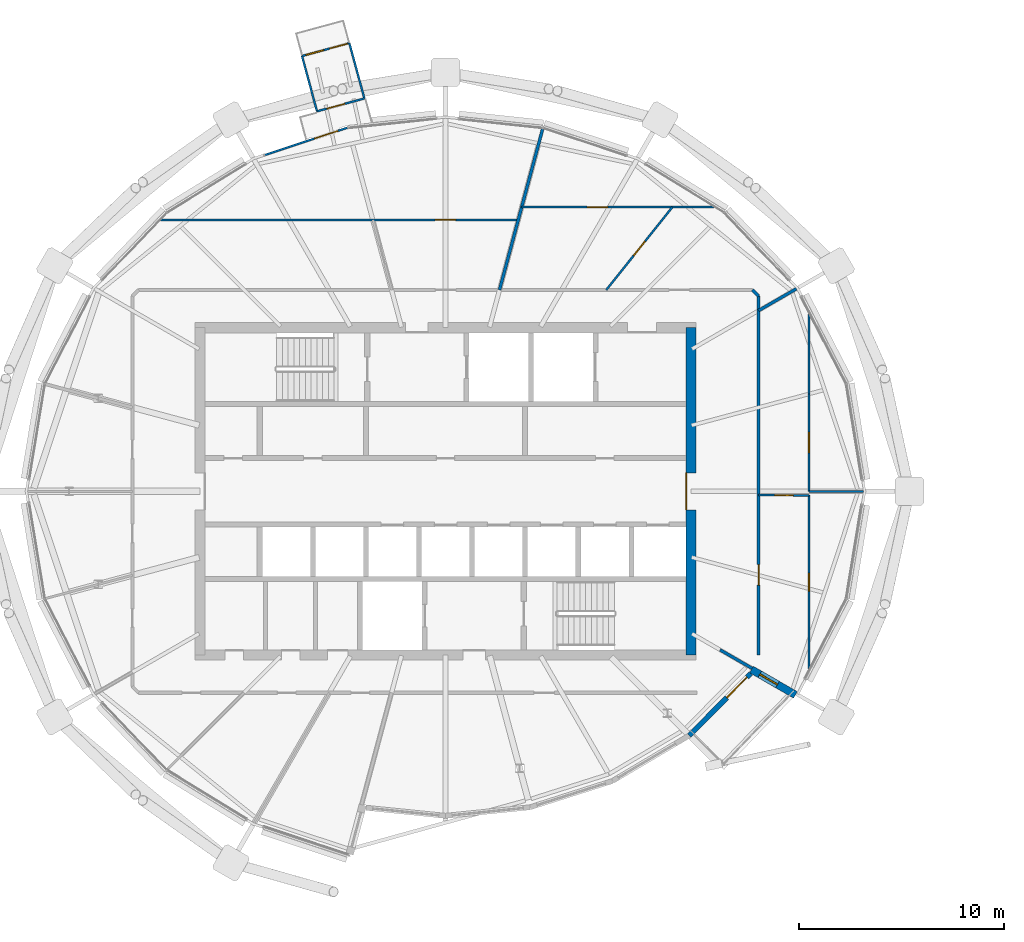
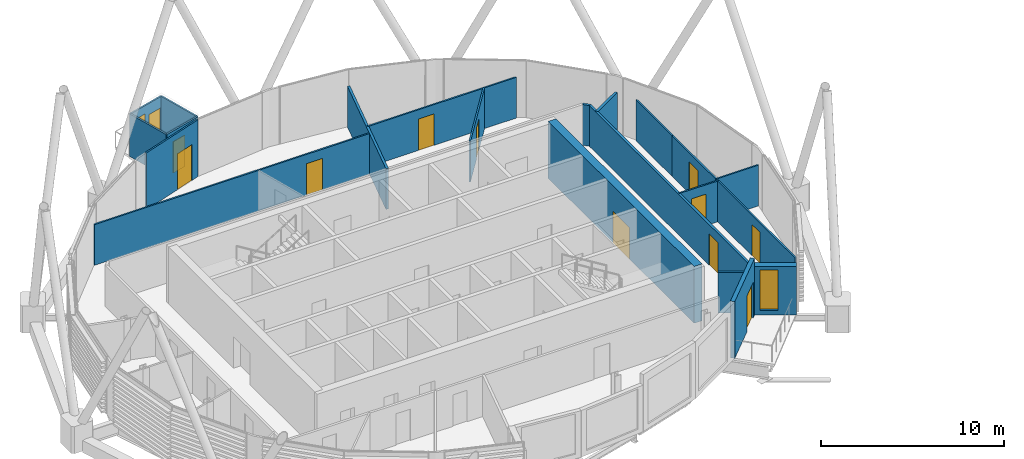
# One storey, part 21 of 32: 21 walls, 12 doors, 2 windows, 14 openings.
"""IFC4 building model written with IfcOpenShell, lengths in metres."""

import ifcopenshell
import ifcopenshell.guid

model = None  # the IFC model being written
_history = None  # IfcOwnerHistory: only IFC2X3 demands one
_inside = {}  # id of a spatial element -> (the spatial element, [elements in it])
_under = {}  # id of a project, library or spatial element -> (it, [spatial elements below it])
_declared = {}  # id of a project -> (the project, [libraries it declares])
_typed = {}  # id of a type object -> (the type object, [elements of that type])
_made_of = {}  # id of a material, layer set ... -> (it, [elements and type objects made of it])


def new_model(schema):
    """Start an empty IFC model of exactly this schema.

    Asked for "IFC4X3", IfcOpenShell would pick the latest addendum, in which some entities
    have other attributes; the version numbers below select the first issue.
    IFC2X3 requires an IfcOwnerHistory on every rooted entity: one is made here for all.
    """
    global model, _history
    if schema == "IFC4X3":
        model = ifcopenshell.file(schema_version=(4, 3, 0, 0))
    else:
        model = ifcopenshell.file(schema=schema)
    _inside.clear()
    _under.clear()
    _declared.clear()
    _typed.clear()
    _made_of.clear()
    _history = None
    if model.schema == "IFC2X3":
        org = make("IfcOrganization", Name="unknown")
        user = make(
            "IfcPersonAndOrganization",
            ThePerson=make("IfcPerson", FamilyName="unknown"),
            TheOrganization=org,
        )
        app = make(
            "IfcApplication",
            ApplicationDeveloper=org,
            Version="unknown",
            ApplicationFullName="unknown",
            ApplicationIdentifier="unknown",
        )
        _history = make(
            "IfcOwnerHistory",
            OwningUser=user,
            OwningApplication=app,
            ChangeAction="ADDED",
            CreationDate=0,
        )
    return model


def make(cls, **values):
    """One entity of the class cls with the attributes given. An attribute that is None is left unset."""
    return model.create_entity(
        cls, **{name: value for name, value in values.items() if value is not None}
    )


def rooted(cls, **values):
    """An entity with a GlobalId (a new one), such as an element, a storey or a relation."""
    return make(cls, GlobalId=ifcopenshell.guid.new(), OwnerHistory=_history, **values)


def si_unit(unit_type, name, prefix=None):
    """IfcSIUnit, for example si_unit("LENGTHUNIT", "METRE", prefix="MILLI")."""
    return make("IfcSIUnit", UnitType=unit_type, Prefix=prefix, Name=name)


def assignment(units):
    """IfcUnitAssignment: the units of a project."""
    return None if units is None else make("IfcUnitAssignment", Units=units)


def point(xyz):
    """IfcCartesianPoint."""
    return None if xyz is None else make("IfcCartesianPoint", Coordinates=xyz)


def direction(xyz):
    """IfcDirection."""
    return None if xyz is None else make("IfcDirection", DirectionRatios=xyz)


def frame(location, z_axis=None, x_axis=None):
    """IfcAxis2Placement3D, a coordinate frame: its origin and axes. An axis left out is left unset."""
    return make(
        "IfcAxis2Placement3D",
        Location=point(location),
        Axis=direction(z_axis),
        RefDirection=direction(x_axis),
    )


def frame_2d(location, x_axis=None):
    """IfcAxis2Placement2D, a coordinate frame in the plane: its origin and x axis."""
    return make(
        "IfcAxis2Placement2D", Location=point(location), RefDirection=direction(x_axis)
    )


def origin():
    """The frame at (0, 0, 0) with its axes left unset."""
    return frame((0.0, 0.0, 0.0))


def place(relative_to, where):
    """IfcLocalPlacement: puts the frame where relative to a parent placement (None: the world)."""
    return make(
        "IfcLocalPlacement", PlacementRelTo=relative_to, RelativePlacement=where
    )


def context(
    kind, dimensions, precision=None, world=None, true_north=None, identifier=None
):
    """IfcGeometricRepresentationContext, for example the 3D "Model" context."""
    return make(
        "IfcGeometricRepresentationContext",
        ContextIdentifier=identifier,
        ContextType=kind,
        CoordinateSpaceDimension=dimensions,
        Precision=precision,
        WorldCoordinateSystem=world,
        TrueNorth=true_north,
    )


def subcontext(parent, identifier, kind, view, scale=None):
    """IfcGeometricRepresentationSubContext, for example "Body" below "Model"."""
    return make(
        "IfcGeometricRepresentationSubContext",
        ContextIdentifier=identifier,
        ContextType=kind,
        ParentContext=parent,
        TargetScale=scale,
        TargetView=view,
    )


def project(units=None, contexts=None):
    """IfcProject with its units and contexts."""
    return rooted(
        "IfcProject",
        Name="project",
        RepresentationContexts=contexts,
        UnitsInContext=assignment(units),
    )


def spatial(cls, under=None, at=None, **own):
    """A site, building, storey or space (cls), placed at a placement, below another one or the project."""
    s = rooted(cls, ObjectPlacement=at, **own)
    if under is not None:
        _under.setdefault(under.id(), (under, []))[1].append(s)
    return s


def profile(cls, at=None, kind="AREA", **sizes):
    """A parametric profile (cls). Its sizes go by their IFC names, for example OverallWidth=200.0."""
    return make(cls, ProfileType=kind, Position=at, **sizes)


def rectangle(**sizes):
    """IfcRectangleProfileDef."""
    return profile("IfcRectangleProfileDef", **sizes)


def extrude(swept, where, along, depth):
    """IfcExtrudedAreaSolid: the profile swept, set in the frame where, extruded along a direction by depth."""
    return make(
        "IfcExtrudedAreaSolid",
        SweptArea=swept,
        Position=where,
        ExtrudedDirection=direction(along),
        Depth=depth,
    )


def shape(context_of_items, identifier, shape_type, items):
    """IfcShapeRepresentation: the items that make up one representation, for example the "Body"."""
    return make(
        "IfcShapeRepresentation",
        ContextOfItems=context_of_items,
        RepresentationIdentifier=identifier,
        RepresentationType=shape_type,
        Items=items,
    )


def material(Name=None, Category=None):
    """IfcMaterial."""
    return make("IfcMaterial", Name=Name, Category=Category)


def layer(
    of_material, thickness, ventilated=None, Name=None, Category=None, Priority=None
):
    """IfcMaterialLayer: one layer of a wall or slab, of a material (None: an air gap)."""
    return make(
        "IfcMaterialLayer",
        Material=of_material,
        LayerThickness=thickness,
        IsVentilated=ventilated,
        Name=Name,
        Category=Category,
        Priority=Priority,
    )


def layer_set(layers, Name=None):
    """IfcMaterialLayerSet."""
    return make("IfcMaterialLayerSet", MaterialLayers=layers, LayerSetName=Name)


def made_of(thing, what):
    """Note that an element or type object is made of a material, layer set ...; save() writes the relation."""
    if what is not None:
        _made_of.setdefault(what.id(), (what, []))[1].append(thing)
    return thing


def type_object(cls, material=None, **own):
    """A type object (cls), such as IfcWallType, which elements share."""
    return made_of(rooted(cls, **own), material)


def element(
    cls,
    number,
    at=None,
    inside=None,
    cuts=None,
    type_object=None,
    material=None,
    context=None,
    identifier="Body",
    shape_type=None,
    held_by="IfcProductDefinitionShape",
    body=None,
    shapes=None,
    **own,
):
    """One element of the class cls, such as IfcWall. Its Tag is "e" and its number.

    at: its placement. inside: the storey or other place that contains it. cuts: it is an
    opening in that element (IfcRelVoidsElement). A single representation is given by context,
    identifier, shape_type and body (its items); several are given by shapes. held_by: the class
    of the entity that holds the representations. save() writes the other relations.
    """
    e = rooted(cls, Tag="e%d" % number, ObjectPlacement=at, **own)
    if body is not None:
        shapes = [shape(context, identifier, shape_type, body)]
    if shapes is not None:
        e.Representation = make(held_by, Representations=shapes)
    if inside is not None:
        _inside.setdefault(inside.id(), (inside, []))[1].append(e)
    if cuts is not None:
        rooted(
            "IfcRelVoidsElement", RelatingBuildingElement=cuts, RelatedOpeningElement=e
        )
    if type_object is not None:
        _typed.setdefault(type_object.id(), (type_object, []))[1].append(e)
    return made_of(e, material)


def fill(opening, filler):
    """IfcRelFillsElement: the door or window that sits in an opening."""
    return rooted(
        "IfcRelFillsElement",
        RelatingOpeningElement=opening,
        RelatedBuildingElement=filler,
    )


def aggregate(whole, parts):
    """IfcRelAggregates: a whole, such as a stair, and the parts it consists of."""
    return rooted("IfcRelAggregates", RelatingObject=whole, RelatedObjects=parts)


def save(model, path):
    """Write the relations noted so far, then the file.

    IfcRelAggregates (storeys below a building ...), IfcRelContainedInSpatialStructure (elements
    in a storey), IfcRelDefinesByType, IfcRelAssociatesMaterial and IfcRelDeclares: one each for
    every whole, place, type object, material and project.
    """
    for whole, parts in _under.values():
        aggregate(whole, parts)
    for where, things in _inside.values():
        rooted(
            "IfcRelContainedInSpatialStructure",
            RelatedElements=things,
            RelatingStructure=where,
        )
    for kind, things in _typed.values():
        rooted("IfcRelDefinesByType", RelatedObjects=things, RelatingType=kind)
    for what, things in _made_of.values():
        rooted("IfcRelAssociatesMaterial", RelatedObjects=things, RelatingMaterial=what)
    for by, libraries in _declared.values():
        rooted("IfcRelDeclares", RelatingContext=by, RelatedDefinitions=libraries)
    model.write(path)


model = new_model("IFC4")

# Units and contexts
model_context = context("Model", 3, precision=1e-05, world=origin(), true_north=direction((0.0, 1.0)))
body_context = subcontext(model_context, "Body", "Model", "MODEL_VIEW")
ifc_project = project(units=[si_unit("LENGTHUNIT", "METRE"), si_unit("AREAUNIT", "SQUARE_METRE"), si_unit("VOLUMEUNIT", "CUBIC_METRE"), si_unit("PLANEANGLEUNIT", "RADIAN"), si_unit("MASSUNIT", "GRAM", prefix="KILO")], contexts=[model_context])

# Site, building, storey
site_placement = place(None, origin())
site = spatial("IfcSite", under=ifc_project, at=site_placement, CompositionType="ELEMENT")
building_placement = place(site_placement, origin())
building = spatial("IfcBuilding", under=site, at=building_placement, Name="Rimbun Link Towers", CompositionType="ELEMENT")
storey_placement = place(building_placement, frame((0.0, 0.0, 233.300048828125)))
storey = spatial("IfcBuildingStorey", under=building, at=storey_placement, Name="L57", CompositionType="ELEMENT", Elevation=233.300048828125)

# Wall, openings, door, window
ifc_material_1 = material(Name="Terracotta-faced insulated sandwich panel", Category="masonry")
ifc_layer_1 = layer(ifc_material_1, 0.10009765625)
ifc_layer_set_1 = layer_set([ifc_layer_1], Name="CAPSULE entrance panel 100")
wall_type_1 = type_object("IfcWallType", Name="CAPSULE entrance panel 100", PredefinedType="STANDARD", material=ifc_layer_set_1)
wall_1_placement = place(storey_placement, frame((-36.448974609375, 21.90478515625, 0.0), z_axis=(0.0, 0.0, 1.0), x_axis=(-0.965115063511, -0.261826114405, 0.0)))
wall_1 = element("IfcWall", 1, at=wall_1_placement, inside=storey, type_object=wall_type_1, Name="CAPSULE D571.01 shell panel 2", PredefinedType="STANDARD", context=body_context, shape_type="SweptSolid", body=[
    extrude(rectangle(XDim=2.400146484375, YDim=0.10009765625, at=frame_2d((1.2001953125, 0.0))), origin(), (0.0, 0.0, 1.0), 2.849853515625),
])
opening_1_placement = place(wall_1_placement, frame((0.10009765625, 0.0, 0.0)))
opening_1 = element("IfcOpeningElement", 2, at=opening_1_placement, cuts=wall_1, Name="Opening CD57.01", PredefinedType="OPENING", context=body_context, shape_type="SweptSolid", body=[
    extrude(rectangle(XDim=0.89990234375, YDim=2.10009765625, at=frame_2d((0.449951171875, 1.050048828125))), frame((0.0, 0.06005859375, 0.0), z_axis=(0.0, -1.0, 0.0), x_axis=(1.0, 0.0, 0.0)), (0.0, 0.0, 1.0), 0.1201171875),
])
opening_2_placement = place(wall_1_placement, frame((1.300048828125, 0.0, 0.89990234375)))
opening_2 = element("IfcOpeningElement", 3, at=opening_2_placement, cuts=wall_1, Name="Opening CN57.01", PredefinedType="OPENING", context=body_context, shape_type="SweptSolid", body=[
    extrude(rectangle(XDim=0.89990234375, YDim=1.39990234375, at=frame_2d((0.449951171875, 0.699951171875))), frame((0.0, 0.06005859375, 0.0), z_axis=(0.0, -1.0, 0.0), x_axis=(1.0, 0.0, 0.0)), (0.0, 0.0, 1.0), 0.1201171875),
])
ifc_material_2 = material(Name="Aluminium framed insulated door leaf", Category="aluminium")
door_type_1 = type_object("IfcDoorType", Name="CAPSULE door single leaf 900X2100", OperationType="SINGLE_SWING_LEFT", PredefinedType="DOOR", material=ifc_material_2)
door_1_placement = place(opening_1_placement, origin())
door_1 = element("IfcDoor", 4, at=door_1_placement, inside=storey, type_object=door_type_1, Name="CAPSULE D571.01 door", OperationType="SINGLE_SWING_LEFT", OverallHeight=2.10009765625, OverallWidth=0.89990234375, PredefinedType="DOOR", context=body_context, shape_type="SweptSolid", body=[
    extrude(rectangle(XDim=0.89990234375, YDim=2.10009765625, at=frame_2d((0.449951171875, 1.050048828125))), frame((0.0, 0.02490234375, 0.0), z_axis=(0.0, -1.0, 0.0), x_axis=(1.0, 0.0, 0.0)), (0.0, 0.0, 1.0), 0.050048828125),
])
fill(opening_1, door_1)
ifc_material_3 = material(Name="Aluminium framed window, low-iron glass", Category="aluminium")
window_type_1 = type_object("IfcWindowType", Name="CAPSULE window 900X1400", PartitioningType="SINGLE_PANEL", PredefinedType="WINDOW", material=ifc_material_3)
window_1_placement = place(opening_2_placement, origin())
window_1 = element("IfcWindow", 5, at=window_1_placement, inside=storey, type_object=window_type_1, Name="CAPSULE D571.01 window", OverallHeight=1.39990234375, OverallWidth=0.89990234375, PartitioningType="SINGLE_PANEL", PredefinedType="WINDOW", context=body_context, shape_type="SweptSolid", body=[
    extrude(rectangle(XDim=0.89990234375, YDim=1.39990234375, at=frame_2d((0.449951171875, 0.699951171875))), frame((0.0, 0.030029296875, 0.0), z_axis=(0.0, -1.0, 0.0), x_axis=(1.0, 0.0, 0.0)), (0.0, 0.0, 1.0), 0.06005859375),
])
fill(opening_2, window_1)

# Wall, opening, door
wall_2_placement = place(storey_placement, frame((-38.0322265625, 18.57421875, 0.0), z_axis=(0.0, 0.0, 1.0), x_axis=(0.965140763293, 0.261731364245, 0.0)))
wall_2 = element("IfcWall", 6, at=wall_2_placement, inside=storey, type_object=wall_type_1, Name="CAPSULE D571.01 shell panel 4", PredefinedType="STANDARD", context=body_context, shape_type="SweptSolid", body=[
    extrude(rectangle(XDim=2.400146484375, YDim=0.10009765625, at=frame_2d((1.2001953125, 0.0))), origin(), (0.0, 0.0, 1.0), 2.849853515625),
])
opening_3_placement = place(wall_2_placement, frame((0.5, 0.0, 0.0)))
opening_3 = element("IfcOpeningElement", 7, at=opening_3_placement, cuts=wall_2, Name="Opening CE57.01", PredefinedType="OPENING", context=body_context, shape_type="SweptSolid", body=[
    extrude(rectangle(XDim=0.89990234375, YDim=2.10009765625, at=frame_2d((0.449951171875, 1.050048828125))), frame((0.0, 0.06005859375, 0.0), z_axis=(0.0, -1.0, 0.0), x_axis=(1.0, 0.0, 0.0)), (0.0, 0.0, 1.0), 0.1201171875),
])
door_2_placement = place(opening_3_placement, origin())
door_2 = element("IfcDoor", 8, at=door_2_placement, inside=storey, type_object=door_type_1, Name="CAPSULE D571.01 inner door", OperationType="SINGLE_SWING_LEFT", OverallHeight=2.10009765625, OverallWidth=0.89990234375, PredefinedType="DOOR", context=body_context, shape_type="SweptSolid", body=[
    extrude(rectangle(XDim=0.89990234375, YDim=2.10009765625, at=frame_2d((0.449951171875, 1.050048828125))), frame((0.0, 0.02490234375, 0.0), z_axis=(0.0, -1.0, 0.0), x_axis=(1.0, 0.0, 0.0)), (0.0, 0.0, 1.0), 0.050048828125),
])
fill(opening_3, door_2)

# Walls
ifc_material_4 = material(Name="Terracotta-faced insulated sandwich panel", Category="masonry")
ifc_layer_2 = layer(ifc_material_4, 0.10009765625)
ifc_layer_set_2 = layer_set([ifc_layer_2], Name="CAPSULE shell panel 100")
wall_type_2 = type_object("IfcWallType", Name="CAPSULE shell panel 100", PredefinedType="STANDARD", material=ifc_layer_set_2)
wall_3_placement = place(storey_placement, frame((-35.7158203125, 19.202392578125, 0.0), z_axis=(0.0, 0.0, 1.0), x_axis=(-0.261833458532, 0.965113071092, 0.0)))
element("IfcWall", 9, at=wall_3_placement, inside=storey, type_object=wall_type_2, Name="CAPSULE D571.01 shell panel 1", PredefinedType="STANDARD", context=body_context, shape_type="SweptSolid", body=[
    extrude(rectangle(XDim=2.800048828125, YDim=0.10009765625, at=frame_2d((1.39990234375, 0.0))), origin(), (0.0, 0.0, 1.0), 2.849853515625),
])
wall_4_placement = place(storey_placement, frame((-38.765380859375, 21.2763671875, 0.0), z_axis=(0.0, 0.0, 1.0), x_axis=(0.261855493293, -0.965107092831, 0.0)))
element("IfcWall", 10, at=wall_4_placement, inside=storey, type_object=wall_type_2, Name="CAPSULE D571.01 shell panel 3", PredefinedType="STANDARD", context=body_context, shape_type="SweptSolid", body=[
    extrude(rectangle(XDim=2.7998046875, YDim=0.10009765625, at=frame_2d((1.39990234375, 0.0))), origin(), (0.0, 0.0, 1.0), 2.849853515625),
])

# Wall, opening, door
ifc_material_5 = material(Name="Dark enamelled glass spandrel on insulated aluminium backpan", Category="aluminium")
ifc_layer_3 = layer(ifc_material_5, 0.25)
ifc_layer_set_3 = layer_set([ifc_layer_3], Name="CS dark enamelled spandrel wall 250")
wall_type_3 = type_object("IfcWallType", Name="CS dark enamelled spandrel wall 250", PredefinedType="STANDARD", material=ifc_layer_set_3)
wall_5_placement = place(storey_placement, frame((-16.833251953125, -8.90087890625, 0.0), z_axis=(0.0, 0.0, 1.0), x_axis=(-0.703494922495, -0.710700284244, 0.0)))
wall_5 = element("IfcWall", 11, at=wall_5_placement, inside=storey, type_object=wall_type_3, Name="Crease spandrel wall", PredefinedType="STANDARD", context=body_context, shape_type="SweptSolid", body=[
    extrude(rectangle(XDim=4.269287109375, YDim=0.25, at=frame_2d((2.134765625, 0.0))), origin(), (0.0, 0.0, 1.0), 3.800048828125),
])
opening_4_placement = place(wall_5_placement, frame((0.263671875, 0.0, 0.0)))
opening_4 = element("IfcOpeningElement", 12, at=opening_4_placement, cuts=wall_5, Name="Opening ED83", PredefinedType="OPENING", context=body_context, shape_type="SweptSolid", body=[
    extrude(rectangle(XDim=1.39990234375, YDim=2.39990234375, at=frame_2d((0.699951171875, 1.199951171875))), frame((0.0, 0.135009765625, 0.0), z_axis=(0.0, -1.0, 0.0), x_axis=(1.0, 0.0, 0.0)), (0.0, 0.0, 1.0), 0.27001953125),
])
ifc_material_6 = material(Name="Aluminium framed glazed door, low-iron glass", Category="aluminium")
door_type_2 = type_object("IfcDoorType", Name="ED terrace door double leaf 1400X2400", OperationType="DOUBLE_DOOR_SINGLE_SWING", PredefinedType="DOOR", material=ifc_material_6)
door_3_placement = place(opening_4_placement, origin())
door_3 = element("IfcDoor", 13, at=door_3_placement, inside=storey, type_object=door_type_2, Name="Terrace door", OperationType="SINGLE_SWING_LEFT", OverallHeight=2.39990234375, OverallWidth=1.39990234375, PredefinedType="DOOR", context=body_context, shape_type="SweptSolid", body=[
    extrude(rectangle(XDim=1.39990234375, YDim=2.39990234375, at=frame_2d((0.699951171875, 1.199951171875))), frame((0.0, 0.02490234375, 0.0), z_axis=(0.0, -1.0, 0.0), x_axis=(1.0, 0.0, 0.0)), (0.0, 0.0, 1.0), 0.050048828125),
])
fill(opening_4, door_3)

# Wall, opening, window
ifc_material_7 = material(Name="Dark enamelled glass spandrel on insulated aluminium backpan", Category="aluminium")
ifc_layer_4 = layer(ifc_material_7, 0.3701171875)
ifc_layer_set_4 = layer_set([ifc_layer_4], Name="CS dark enamelled spandrel wall 370")
wall_type_4 = type_object("IfcWallType", Name="CS dark enamelled spandrel wall 370", PredefinedType="STANDARD", material=ifc_layer_set_4)
wall_6_placement = place(storey_placement, frame((-14.648193359375, -9.948974609375, 0.0), z_axis=(0.0, 0.0, 1.0), x_axis=(-0.866023285932, 0.50000366821, 0.0)))
wall_6 = element("IfcWall", 14, at=wall_6_placement, inside=storey, type_object=wall_type_4, Name="Crease spandrel wall", PredefinedType="STANDARD", context=body_context, shape_type="SweptSolid", body=[
    extrude(rectangle(XDim=2.47998046875, YDim=0.3701171875, at=frame_2d((1.239990234375, 0.0))), origin(), (0.0, 0.0, 1.0), 3.24365234375),
])
opening_5_placement = place(wall_6_placement, frame((1.01171875, 0.0, 0.300048828125)))
opening_5 = element("IfcOpeningElement", 15, at=opening_5_placement, cuts=wall_6, Name="Opening WR10H270", PredefinedType="OPENING", context=body_context, shape_type="SweptSolid", body=[
    extrude(rectangle(XDim=1.0, YDim=2.699951171875, at=frame_2d((0.5, 1.35009765625))), frame((0.0, 0.195068359375, 0.0), z_axis=(0.0, -1.0, 0.0), x_axis=(1.0, 0.0, 0.0)), (0.0, 0.0, 1.0), 0.39013671875),
])
ifc_material_8 = material(Name="Aluminium framed fixed window, dark tinted low-e glass", Category="aluminium")
window_type_2 = type_object("IfcWindowType", Name="WR ribbon window 1000X2700", PartitioningType="SINGLE_PANEL", PredefinedType="WINDOW", material=ifc_material_8)
window_2_placement = place(opening_5_placement, origin())
window_2 = element("IfcWindow", 16, at=window_2_placement, inside=storey, type_object=window_type_2, Name="Crease ribbon window", OverallHeight=2.699951171875, OverallWidth=1.0, PartitioningType="SINGLE_PANEL", PredefinedType="WINDOW", context=body_context, shape_type="SweptSolid", body=[
    extrude(rectangle(XDim=1.0, YDim=2.699951171875, at=frame_2d((0.5, 1.35009765625))), frame((0.0, 0.030029296875, 0.0), z_axis=(0.0, -1.0, 0.0), x_axis=(1.0, 0.0, 0.0)), (0.0, 0.0, 1.0), 0.06005859375),
])
fill(opening_5, window_2)

# Wall, opening, door
ifc_material_9 = material(Name="Concrete C60/75", Category="concrete")
ifc_layer_5 = layer(ifc_material_9, 0.5)
ifc_layer_set_5 = layer_set([ifc_layer_5], Name="Core shear wall 500")
wall_type_5 = type_object("IfcWallType", Name="Core shear wall 500", PredefinedType="SHEAR", material=ifc_layer_set_5)
wall_7_placement = place(storey_placement, frame((-19.75, -8.0, 0.0), z_axis=(0.0, 0.0, 1.0), x_axis=(0.0, 1.0, 0.0)))
wall_7 = element("IfcWall", 17, at=wall_7_placement, inside=storey, type_object=wall_type_5, Name="L57 T1 core wall E", PredefinedType="SHEAR", context=body_context, shape_type="SweptSolid", body=[
    extrude(rectangle(XDim=16.0, YDim=0.5, at=frame_2d((8.0, 0.0))), origin(), (0.0, 0.0, 1.0), 3.800048828125),
])
opening_6_placement = place(wall_7_placement, frame((7.10009765625, 0.0, 0.0)))
opening_6 = element("IfcOpeningElement", 18, at=opening_6_placement, cuts=wall_7, Name="Opening C1DCL01E", PredefinedType="OPENING", context=body_context, shape_type="SweptSolid", body=[
    extrude(rectangle(XDim=1.800048828125, YDim=2.10009765625, at=frame_2d((0.89990234375, 1.050048828125))), frame((0.0, 0.260009765625, 0.0), z_axis=(0.0, -1.0, 0.0), x_axis=(1.0, 0.0, 0.0)), (0.0, 0.0, 1.0), 0.52001953125),
])
ifc_material_10 = material(Name="Steel fire door set", Category="steel")
door_type_3 = type_object("IfcDoorType", Name="Core lobby door double", OperationType="DOUBLE_DOOR_SINGLE_SWING", PredefinedType="DOOR", material=ifc_material_10)
door_4_placement = place(opening_6_placement, origin())
door_4 = element("IfcDoor", 19, at=door_4_placement, inside=storey, type_object=door_type_3, Name="L57 T1 lift lobby door", OperationType="DOUBLE_DOOR_SINGLE_SWING", OverallHeight=2.10009765625, OverallWidth=1.800048828125, PredefinedType="DOOR", context=body_context, shape_type="SweptSolid", body=[
    extrude(rectangle(XDim=1.800048828125, YDim=2.10009765625, at=frame_2d((0.89990234375, 1.050048828125))), frame((0.0, 0.25, 0.0), z_axis=(0.0, -1.0, 0.0), x_axis=(1.0, 0.0, 0.0)), (0.0, 0.0, 1.0), 0.050048828125),
])
fill(opening_6, door_4)

ifc_material_11 = material(Name="Plasterboard on steel stud, mineral wool", Category="steel")
ifc_layer_6 = layer(ifc_material_11, 0.14990234375)
ifc_layer_set_6 = layer_set([ifc_layer_6], Name="Corridor wall EI 30 150 mm")
wall_type_6 = type_object("IfcWallType", Name="Corridor wall EI 30 150 mm", PredefinedType="PARTITIONING", material=ifc_layer_set_6)
wall_8_placement = place(storey_placement, frame((-16.445068359375, 9.543701171875, 0.0), z_axis=(0.0, 0.0, 1.0), x_axis=(0.0, -1.0, 0.0)))
wall_8 = element("IfcWall", 20, at=wall_8_placement, inside=storey, type_object=wall_type_6, Name="Corridor wall EI 30 150 mm", PredefinedType="PARTITIONING", context=body_context, shape_type="SweptSolid", body=[
    extrude(rectangle(XDim=17.53564453125, YDim=0.14990234375, at=frame_2d((8.767822265625, 0.0))), origin(), (0.0, 0.0, 1.0), 2.721923828125),
])
opening_7_placement = place(wall_8_placement, frame((13.127197265625, 0.0, 0.0)))
opening_7 = element("IfcOpeningElement", 21, at=opening_7_placement, cuts=wall_8, Name="Opening D01", PredefinedType="OPENING", context=body_context, shape_type="SweptSolid", body=[
    extrude(rectangle(XDim=1.0, YDim=2.10009765625, at=frame_2d((0.5, 1.050048828125))), frame((0.0, 0.0849609375, 0.0), z_axis=(0.0, -1.0, 0.0), x_axis=(1.0, 0.0, 0.0)), (0.0, 0.0, 1.0), 0.169921875),
])
ifc_material_12 = material(Name="Fire-resisting timber door leaf", Category="wood")
door_type_4 = type_object("IfcDoorType", Name="Fire door FD30S 1000", OperationType="NOTDEFINED", PredefinedType="DOOR", material=ifc_material_12)
door_5_placement = place(opening_7_placement, origin())
door_5 = element("IfcDoor", 22, at=door_5_placement, inside=storey, type_object=door_type_4, Name="Fire door FD30S 1000 to Reception", OperationType="SINGLE_SWING_LEFT", OverallHeight=2.10009765625, OverallWidth=1.0, PredefinedType="DOOR", context=body_context, shape_type="SweptSolid", body=[
    extrude(rectangle(XDim=1.0, YDim=2.10009765625, at=frame_2d((0.5, 1.050048828125))), frame((0.0, 0.02490234375, 0.0), z_axis=(0.0, -1.0, 0.0), x_axis=(1.0, 0.0, 0.0)), (0.0, 0.0, 1.0), 0.050048828125),
])
fill(opening_7, door_5)

# Wall
wall_9_placement = place(storey_placement, frame((-16.445068359375, 9.543701171875, 0.0), z_axis=(0.0, 0.0, 1.0), x_axis=(-0.707106781187, 0.707106781187, 0.0)))
element("IfcWall", 23, at=wall_9_placement, inside=storey, type_object=wall_type_6, Name="Corridor wall EI 30 150 mm", PredefinedType="PARTITIONING", context=body_context, shape_type="SweptSolid", body=[
    extrude(rectangle(XDim=0.426025390625, YDim=0.14990234375, at=frame_2d((0.212890625, 0.0))), origin(), (0.0, 0.0, 1.0), 2.721923828125),
])

# Wall, opening, door
ifc_material_13 = material(Name="Aluminium framed insulated infill panel", Category="aluminium")
ifc_layer_7 = layer(ifc_material_13, 0.10009765625)
ifc_layer_set_7 = layer_set([ifc_layer_7], Name="ED framed infill wall 100")
wall_type_7 = type_object("IfcWallType", Name="ED framed infill wall 100", PredefinedType="STANDARD", material=ifc_layer_set_7)
wall_10_placement = place(storey_placement, frame((-40.583251953125, 16.4365234375, 0.0), z_axis=(0.0, 0.0, 1.0), x_axis=(0.949220309109, 0.314612149758, 0.0)))
wall_10 = element("IfcWall", 24, at=wall_10_placement, inside=storey, type_object=wall_type_7, Name="Framed door bay wall", PredefinedType="STANDARD", context=body_context, shape_type="SweptSolid", body=[
    extrude(rectangle(XDim=4.2626953125, YDim=0.10009765625, at=frame_2d((2.13134765625, 0.0))), origin(), (0.0, 0.0, 1.0), 3.800048828125),
])
opening_8_placement = place(wall_10_placement, frame((2.560791015625, 0.0, 0.0)))
opening_8 = element("IfcOpeningElement", 25, at=opening_8_placement, cuts=wall_10, Name="Opening ED90", PredefinedType="OPENING", context=body_context, shape_type="SweptSolid", body=[
    extrude(rectangle(XDim=1.199951171875, YDim=2.39990234375, at=frame_2d((0.60009765625, 1.199951171875))), frame((0.0, 0.06005859375, 0.0), z_axis=(0.0, -1.0, 0.0), x_axis=(1.0, 0.0, 0.0)), (0.0, 0.0, 1.0), 0.1201171875),
])
ifc_material_14 = material(Name="Aluminium framed glazed door, low-iron glass", Category="aluminium")
door_type_5 = type_object("IfcDoorType", Name="ED terrace door double leaf 1200X2400", OperationType="DOUBLE_DOOR_SINGLE_SWING", PredefinedType="DOOR", material=ifc_material_14)
door_6_placement = place(opening_8_placement, origin())
door_6 = element("IfcDoor", 26, at=door_6_placement, inside=storey, type_object=door_type_5, Name="Terrace door", OperationType="SINGLE_SWING_LEFT", OverallHeight=2.39990234375, OverallWidth=1.199951171875, PredefinedType="DOOR", context=body_context, shape_type="SweptSolid", body=[
    extrude(rectangle(XDim=1.199951171875, YDim=2.39990234375, at=frame_2d((0.60009765625, 1.199951171875))), frame((0.0, 0.02490234375, 0.0), z_axis=(0.0, -1.0, 0.0), x_axis=(1.0, 0.0, 0.0)), (0.0, 0.0, 1.0), 0.050048828125),
])
fill(opening_8, door_6)

ifc_material_15 = material(Name="Plasterboard on steel stud", Category="steel")
ifc_layer_8 = layer(ifc_material_15, 0.10009765625)
ifc_layer_set_8 = layer_set([ifc_layer_8], Name="Plasterboard partition 100 mm")
wall_type_8 = type_object("IfcWallType", Name="Plasterboard partition 100 mm", PredefinedType="PARTITIONING", material=ifc_layer_set_8)
wall_11_placement = place(storey_placement, frame((-16.445068359375, -0.1748046875, 0.0), z_axis=(0.0, 0.0, 1.0), x_axis=(0.999934875119, -0.011412515943, 0.0)))
wall_11 = element("IfcWall", 27, at=wall_11_placement, inside=storey, type_object=wall_type_8, Name="Plasterboard partition 100 mm", PredefinedType="PARTITIONING", context=body_context, shape_type="SweptSolid", body=[
    extrude(rectangle(XDim=2.460205078125, YDim=0.10009765625, at=frame_2d((1.22998046875, 0.0))), origin(), (0.0, 0.0, 1.0), 2.721923828125),
])
opening_9_placement = place(wall_11_placement, frame((0.780029296875, 0.0, 0.0)))
opening_9 = element("IfcOpeningElement", 28, at=opening_9_placement, cuts=wall_11, Name="Opening D04", PredefinedType="OPENING", context=body_context, shape_type="SweptSolid", body=[
    extrude(rectangle(XDim=0.89990234375, YDim=2.10009765625, at=frame_2d((0.449951171875, 1.050048828125))), frame((0.0, 0.06005859375, 0.0), z_axis=(0.0, -1.0, 0.0), x_axis=(1.0, 0.0, 0.0)), (0.0, 0.0, 1.0), 0.1201171875),
])
ifc_material_16 = material(Name="Timber door leaf", Category="wood")
door_type_6 = type_object("IfcDoorType", Name="Flush door 900", OperationType="NOTDEFINED", PredefinedType="DOOR", material=ifc_material_16)
door_7_placement = place(opening_9_placement, origin())
door_7 = element("IfcDoor", 29, at=door_7_placement, inside=storey, type_object=door_type_6, Name="Flush door 900 to Meeting room", OperationType="SINGLE_SWING_LEFT", OverallHeight=2.10009765625, OverallWidth=0.89990234375, PredefinedType="DOOR", context=body_context, shape_type="SweptSolid", body=[
    extrude(rectangle(XDim=0.89990234375, YDim=2.10009765625, at=frame_2d((0.449951171875, 1.050048828125))), frame((0.0, 0.02490234375, 0.0), z_axis=(0.0, -1.0, 0.0), x_axis=(1.0, 0.0, 0.0)), (0.0, 0.0, 1.0), 0.050048828125),
])
fill(opening_9, door_7)

wall_12_placement = place(storey_placement, frame((-13.985107421875, -0.1728515625, 0.0), z_axis=(0.0, 0.0, 1.0), x_axis=(0.0, -1.0, 0.0)))
wall_12 = element("IfcWall", 30, at=wall_12_placement, inside=storey, type_object=wall_type_8, Name="Plasterboard partition 100 mm", PredefinedType="PARTITIONING", context=body_context, shape_type="SweptSolid", body=[
    extrude(rectangle(XDim=8.54443359375, YDim=0.10009765625, at=frame_2d((4.272216796875, 0.0))), origin(), (0.0, 0.0, 1.0), 2.721923828125),
])
opening_10_placement = place(wall_12_placement, frame((3.822265625, 0.0, 0.0)))
opening_10 = element("IfcOpeningElement", 31, at=opening_10_placement, cuts=wall_12, Name="Opening D04", PredefinedType="OPENING", context=body_context, shape_type="SweptSolid", body=[
    extrude(rectangle(XDim=0.89990234375, YDim=2.10009765625, at=frame_2d((0.449951171875, 1.050048828125))), frame((0.0, 0.06005859375, 0.0), z_axis=(0.0, -1.0, 0.0), x_axis=(1.0, 0.0, 0.0)), (0.0, 0.0, 1.0), 0.1201171875),
])
door_8_placement = place(opening_10_placement, origin())
door_8 = element("IfcDoor", 32, at=door_8_placement, inside=storey, type_object=door_type_6, Name="Flush door 900 to Executive office", OperationType="SINGLE_SWING_RIGHT", OverallHeight=2.10009765625, OverallWidth=0.89990234375, PredefinedType="DOOR", context=body_context, shape_type="SweptSolid", body=[
    extrude(rectangle(XDim=0.89990234375, YDim=2.10009765625, at=frame_2d((0.449951171875, 1.050048828125))), frame((0.0, 0.02490234375, 0.0), z_axis=(0.0, -1.0, 0.0), x_axis=(1.0, 0.0, 0.0)), (0.0, 0.0, 1.0), 0.050048828125),
])
fill(opening_10, door_8)

wall_13_placement = place(storey_placement, frame((-13.985107421875, 4.76025390625, 0.0), z_axis=(0.0, 0.0, 1.0), x_axis=(0.0, -1.0, 0.0)))
wall_13 = element("IfcWall", 33, at=wall_13_placement, inside=storey, type_object=wall_type_8, Name="Plasterboard partition 100 mm", PredefinedType="PARTITIONING", context=body_context, shape_type="SweptSolid", body=[
    extrude(rectangle(XDim=4.76025390625, YDim=0.10009765625, at=frame_2d((2.380126953125, 0.0))), origin(), (0.0, 0.0, 1.0), 2.721923828125),
])
opening_11_placement = place(wall_13_placement, frame((1.880126953125, 0.0, 0.0)))
opening_11 = element("IfcOpeningElement", 34, at=opening_11_placement, cuts=wall_13, Name="Opening D03", PredefinedType="OPENING", context=body_context, shape_type="SweptSolid", body=[
    extrude(rectangle(XDim=1.0, YDim=2.10009765625, at=frame_2d((0.5, 1.050048828125))), frame((0.0, 0.06005859375, 0.0), z_axis=(0.0, -1.0, 0.0), x_axis=(1.0, 0.0, 0.0)), (0.0, 0.0, 1.0), 0.1201171875),
])
ifc_material_17 = material(Name="Timber door leaf", Category="wood")
door_type_7 = type_object("IfcDoorType", Name="Flush door 1000", OperationType="NOTDEFINED", PredefinedType="DOOR", material=ifc_material_17)
door_9_placement = place(opening_11_placement, origin())
door_9 = element("IfcDoor", 35, at=door_9_placement, inside=storey, type_object=door_type_7, Name="Flush door 1000 to Open office", OperationType="SINGLE_SWING_RIGHT", OverallHeight=2.10009765625, OverallWidth=1.0, PredefinedType="DOOR", context=body_context, shape_type="SweptSolid", body=[
    extrude(rectangle(XDim=1.0, YDim=2.10009765625, at=frame_2d((0.5, 1.050048828125))), frame((0.0, 0.02490234375, 0.0), z_axis=(0.0, -1.0, 0.0), x_axis=(1.0, 0.0, 0.0)), (0.0, 0.0, 1.0), 0.050048828125),
])
fill(opening_11, door_9)

# Walls
wall_14_placement = place(storey_placement, frame((-13.985107421875, 4.76025390625, 0.0), z_axis=(0.0, 0.0, 1.0), x_axis=(0.0, 1.0, 0.0)))
element("IfcWall", 36, at=wall_14_placement, inside=storey, type_object=wall_type_8, Name="Plasterboard partition 100 mm", PredefinedType="PARTITIONING", context=body_context, shape_type="SweptSolid", body=[
    extrude(rectangle(XDim=3.95703125, YDim=0.10009765625, at=frame_2d((1.978515625, 0.0))), origin(), (0.0, 0.0, 1.0), 2.721923828125),
])
wall_15_placement = place(storey_placement, frame((-11.32470703125, 0.0, 0.0), z_axis=(0.0, 0.0, 1.0), x_axis=(-1.0, 0.0, 0.0)))
element("IfcWall", 37, at=wall_15_placement, inside=storey, type_object=wall_type_8, Name="Plasterboard partition 100 mm", PredefinedType="PARTITIONING", context=body_context, shape_type="SweptSolid", body=[
    extrude(rectangle(XDim=2.660400390625, YDim=0.10009765625, at=frame_2d((1.330078125, 0.0))), origin(), (0.0, 0.0, 1.0), 2.721923828125),
])

# Wall, opening, door
wall_16_placement = place(storey_placement, frame((-23.893310546875, 9.844970703125, 0.0), z_axis=(0.0, 0.0, 1.0), x_axis=(0.623769525553, 0.781608328379, 0.0)))
wall_16 = element("IfcWall", 38, at=wall_16_placement, inside=storey, type_object=wall_type_8, Name="Plasterboard partition 100 mm", PredefinedType="PARTITIONING", context=body_context, shape_type="SweptSolid", body=[
    extrude(rectangle(XDim=5.181640625, YDim=0.10009765625, at=frame_2d((2.5908203125, 0.0))), origin(), (0.0, 0.0, 1.0), 2.721923828125),
])
opening_12_placement = place(wall_16_placement, frame((2.140869140625, 0.0, 0.0)))
opening_12 = element("IfcOpeningElement", 39, at=opening_12_placement, cuts=wall_16, Name="Opening D04", PredefinedType="OPENING", context=body_context, shape_type="SweptSolid", body=[
    extrude(rectangle(XDim=0.89990234375, YDim=2.10009765625, at=frame_2d((0.449951171875, 1.050048828125))), frame((0.0, 0.06005859375, 0.0), z_axis=(0.0, -1.0, 0.0), x_axis=(1.0, 0.0, 0.0)), (0.0, 0.0, 1.0), 0.1201171875),
])
door_10_placement = place(opening_12_placement, origin())
door_10 = element("IfcDoor", 40, at=door_10_placement, inside=storey, type_object=door_type_6, Name="Flush door 900 to Pantry", OperationType="SINGLE_SWING_LEFT", OverallHeight=2.10009765625, OverallWidth=0.89990234375, PredefinedType="DOOR", context=body_context, shape_type="SweptSolid", body=[
    extrude(rectangle(XDim=0.89990234375, YDim=2.10009765625, at=frame_2d((0.449951171875, 1.050048828125))), frame((0.0, 0.02490234375, 0.0), z_axis=(0.0, -1.0, 0.0), x_axis=(1.0, 0.0, 0.0)), (0.0, 0.0, 1.0), 0.050048828125),
])
fill(opening_12, door_10)

wall_17_placement = place(storey_placement, frame((-28.02685546875, 13.89501953125, 0.0), z_axis=(0.0, 0.0, 1.0), x_axis=(1.0, 0.0, 0.0)))
wall_17 = element("IfcWall", 41, at=wall_17_placement, inside=storey, type_object=wall_type_8, Name="Plasterboard partition 100 mm", PredefinedType="PARTITIONING", context=body_context, shape_type="SweptSolid", body=[
    extrude(rectangle(XDim=9.405517578125, YDim=0.10009765625, at=frame_2d((4.70263671875, 0.0))), origin(), (0.0, 0.0, 1.0), 2.721923828125),
])
opening_13_placement = place(wall_17_placement, frame((3.197998046875, 0.0, 0.0)))
opening_13 = element("IfcOpeningElement", 42, at=opening_13_placement, cuts=wall_17, Name="Opening D03", PredefinedType="OPENING", context=body_context, shape_type="SweptSolid", body=[
    extrude(rectangle(XDim=1.0, YDim=2.10009765625, at=frame_2d((0.5, 1.050048828125))), frame((0.0, 0.06005859375, 0.0), z_axis=(0.0, -1.0, 0.0), x_axis=(1.0, 0.0, 0.0)), (0.0, 0.0, 1.0), 0.1201171875),
])
door_11_placement = place(opening_13_placement, origin())
door_11 = element("IfcDoor", 43, at=door_11_placement, inside=storey, type_object=door_type_7, Name="Flush door 1000 to Boardroom", OperationType="SINGLE_SWING_LEFT", OverallHeight=2.10009765625, OverallWidth=1.0, PredefinedType="DOOR", context=body_context, shape_type="SweptSolid", body=[
    extrude(rectangle(XDim=1.0, YDim=2.10009765625, at=frame_2d((0.5, 1.050048828125))), frame((0.0, 0.02490234375, 0.0), z_axis=(0.0, -1.0, 0.0), x_axis=(1.0, 0.0, 0.0)), (0.0, 0.0, 1.0), 0.050048828125),
])
fill(opening_13, door_11)

wall_18_placement = place(storey_placement, frame((-45.677978515625, 13.264892578125, 0.0), z_axis=(0.0, 0.0, 1.0), x_axis=(1.0, 0.0, 0.0)))
wall_18 = element("IfcWall", 44, at=wall_18_placement, inside=storey, type_object=wall_type_8, Name="Plasterboard partition 100 mm", PredefinedType="PARTITIONING", context=body_context, shape_type="SweptSolid", body=[
    extrude(rectangle(XDim=17.482177734375, YDim=0.10009765625, at=frame_2d((8.7412109375, 0.0))), origin(), (0.0, 0.0, 1.0), 2.721923828125),
])
opening_14_placement = place(wall_18_placement, frame((13.417724609375, 0.0, 0.0)))
opening_14 = element("IfcOpeningElement", 45, at=opening_14_placement, cuts=wall_18, Name="Opening D03", PredefinedType="OPENING", context=body_context, shape_type="SweptSolid", body=[
    extrude(rectangle(XDim=1.0, YDim=2.10009765625, at=frame_2d((0.5, 1.050048828125))), frame((0.0, 0.06005859375, 0.0), z_axis=(0.0, -1.0, 0.0), x_axis=(1.0, 0.0, 0.0)), (0.0, 0.0, 1.0), 0.1201171875),
])
door_12_placement = place(opening_14_placement, origin())
door_12 = element("IfcDoor", 46, at=door_12_placement, inside=storey, type_object=door_type_7, Name="Flush door 1000 to Open office", OperationType="SINGLE_SWING_LEFT", OverallHeight=2.10009765625, OverallWidth=1.0, PredefinedType="DOOR", context=body_context, shape_type="SweptSolid", body=[
    extrude(rectangle(XDim=1.0, YDim=2.10009765625, at=frame_2d((0.5, 1.050048828125))), frame((0.0, 0.02490234375, 0.0), z_axis=(0.0, -1.0, 0.0), x_axis=(1.0, 0.0, 0.0)), (0.0, 0.0, 1.0), 0.050048828125),
])
fill(opening_14, door_12)

# Walls
ifc_material_18 = material(Name="Plasterboard on steel stud, mineral wool", Category="steel")
ifc_layer_9 = layer(ifc_material_18, 0.14990234375)
ifc_layer_set_9 = layer_set([ifc_layer_9], Name="Tenancy separation wall EI 60 150 mm")
wall_type_9 = type_object("IfcWallType", Name="Tenancy separation wall EI 60 150 mm", PredefinedType="PARTITIONING", material=ifc_layer_set_9)
wall_19_placement = place(storey_placement, frame((-16.445068359375, 8.83642578125, 0.0), z_axis=(0.0, 0.0, 1.0), x_axis=(0.866029242824, 0.49999335053, 0.0)))
element("IfcWall", 47, at=wall_19_placement, inside=storey, type_object=wall_type_9, Name="Tenancy separation wall EI 60 150 mm", PredefinedType="PARTITIONING", context=body_context, shape_type="SweptSolid", body=[
    extrude(rectangle(XDim=2.13232421875, YDim=0.14990234375, at=frame_2d((1.066162109375, 0.0))), origin(), (0.0, 0.0, 1.0), 2.721923828125),
])
wall_20_placement = place(storey_placement, frame((-29.112060546875, 9.844970703125, 0.0), z_axis=(0.0, 0.0, 1.0), x_axis=(0.258821226931, 0.965925241667, 0.0)))
element("IfcWall", 48, at=wall_20_placement, inside=storey, type_object=wall_type_9, Name="Tenancy separation wall EI 60 150 mm", PredefinedType="PARTITIONING", context=body_context, shape_type="SweptSolid", body=[
    extrude(rectangle(XDim=8.169677734375, YDim=0.14990234375, at=frame_2d((4.0849609375, 0.0))), origin(), (0.0, 0.0, 1.0), 2.721923828125),
])
wall_21_placement = place(storey_placement, frame((-18.333984375, -7.745849609375, 0.0), z_axis=(0.0, 0.0, 1.0), x_axis=(0.866064548375, -0.499932193451, 0.0)))
element("IfcWall", 49, at=wall_21_placement, inside=storey, type_object=wall_type_9, Name="Tenancy separation wall EI 60 150 mm", PredefinedType="PARTITIONING", context=body_context, shape_type="SweptSolid", body=[
    extrude(rectangle(XDim=1.813720703125, YDim=0.14990234375, at=frame_2d((0.90673828125, 0.0))), origin(), (0.0, 0.0, 1.0), 2.721923828125),
])

save(model, "model.ifc")
